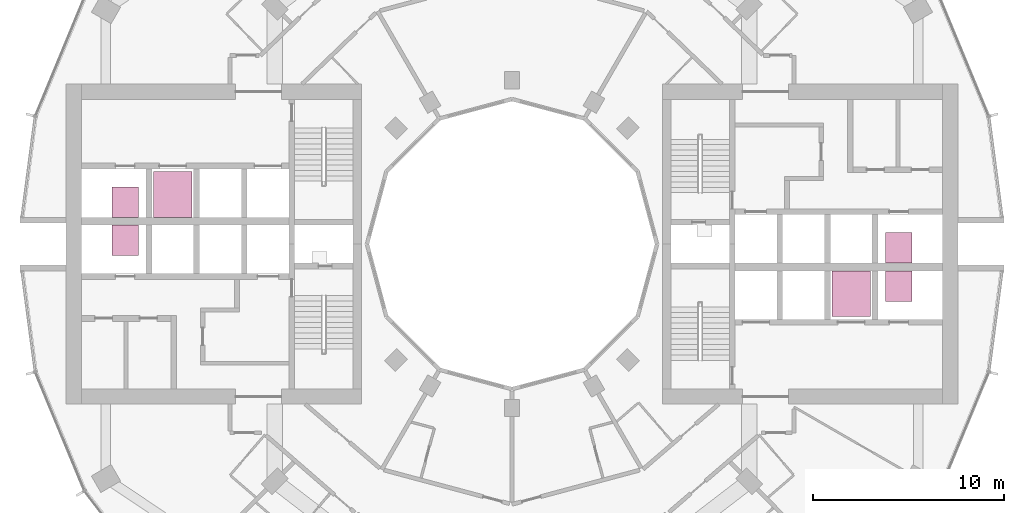
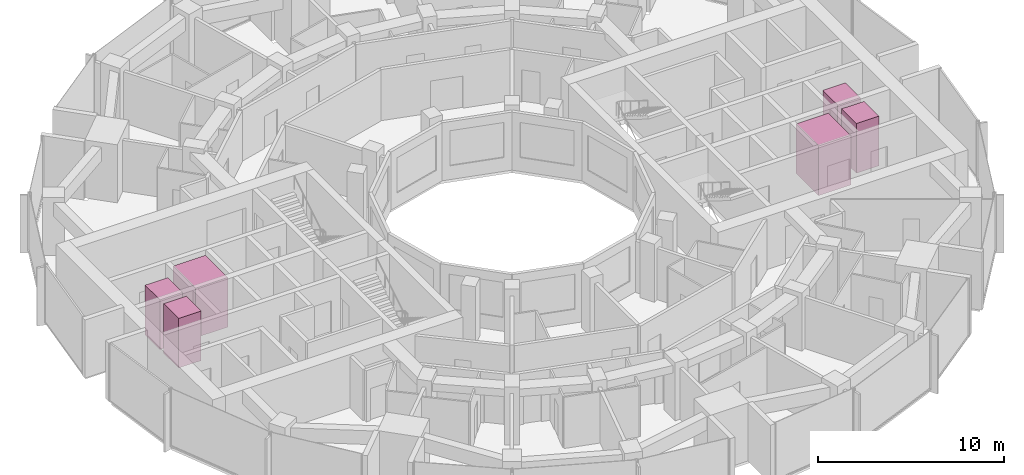
# One storey, part 15 of 15: 6 transport elements.
"""IFC4 building model written with IfcOpenShell, lengths in metres."""

from ifc_helpers import new_model, si_unit, direction, frame, origin, origin_2d, place, context, subcontext, project, spatial, rectangle, extrude, material, type_object, element, save


model = new_model("IFC4")

# Units and contexts
model_context = context("Model", 3, precision=1e-05, world=origin(), true_north=direction((0.0, 1.0)))
body_context = subcontext(model_context, "Body", "Model", "MODEL_VIEW")
ifc_project = project(units=[si_unit("LENGTHUNIT", "METRE"), si_unit("AREAUNIT", "SQUARE_METRE"), si_unit("VOLUMEUNIT", "CUBIC_METRE"), si_unit("PLANEANGLEUNIT", "RADIAN"), si_unit("MASSUNIT", "GRAM", prefix="KILO")], contexts=[model_context])

# Site, building, storey
site_placement = place(None, origin())
site = spatial("IfcSite", under=ifc_project, at=site_placement, CompositionType="ELEMENT")
building_placement = place(site_placement, origin())
building = spatial("IfcBuilding", under=site, at=building_placement, Name="Torre Brocal", CompositionType="ELEMENT")
storey_placement = place(building_placement, frame((0.0, 0.0, 47.800048828125)))
storey = spatial("IfcBuildingStorey", under=building, at=storey_placement, Name="L10", CompositionType="ELEMENT", Elevation=47.800048828125)

# Transport elements
ifc_material_1 = material(Name="Stainless steel AISI 316", Category="steel")
transport_element_type_1 = type_object("IfcTransportElementType", Name="PASSENGER LIFT 2000", PredefinedType="ELEVATOR", material=ifc_material_1)
for number, where, z_axis, x_axis, name in (
    (1, (97.800048828125, 72.39990234375, 0.0), (0.0, 0.0, 1.0), (1.0, 0.0, 0.0), "LOW RISE LIFT E-LR2"),
    (2, (62.199951171875, 77.60009765625, 0.0), (0.0, 0.0, 1.0), (1.0, 0.0, 0.0), "LOW RISE LIFT W-LR2"),
):
    element("IfcTransportElement", number, at=place(storey_placement, frame(where, z_axis=z_axis, x_axis=x_axis)), inside=storey, type_object=transport_element_type_1, Name=name, PredefinedType="ELEVATOR", context=body_context, shape_type="SweptSolid", body=[
        extrude(rectangle(XDim=2.0, YDim=2.39990234375, at=origin_2d()), origin(), (0.0, 0.0, 1.0), 3.25),
    ])
ifc_material_2 = material(Name="Stainless steel AISI 316", Category="steel")
transport_element_type_2 = type_object("IfcTransportElementType", Name="PASSENGER LIFT 900", PredefinedType="ELEVATOR", material=ifc_material_2)
for number, where, z_axis, x_axis, name in (
    (3, (100.300048828125, 74.800048828125, 0.0), (0.0, 0.0, 1.0), (1.0, 0.0, 0.0), "LOW RISE LIFT E-LR1"),
    (4, (100.300048828125, 72.800048828125, 0.0), (0.0, 0.0, 1.0), (1.0, 0.0, 0.0), "LOW RISE LIFT E-LR3"),
    (5, (59.699951171875, 75.199951171875, 0.0), (0.0, 0.0, 1.0), (1.0, 0.0, 0.0), "LOW RISE LIFT W-LR1"),
    (6, (59.699951171875, 77.199951171875, 0.0), (0.0, 0.0, 1.0), (1.0, 0.0, 0.0), "LOW RISE LIFT W-LR3"),
):
    element("IfcTransportElement", number, at=place(storey_placement, frame(where, z_axis=z_axis, x_axis=x_axis)), inside=storey, type_object=transport_element_type_2, Name=name, PredefinedType="ELEVATOR", context=body_context, shape_type="SweptSolid", body=[
        extrude(rectangle(XDim=1.39990234375, YDim=1.60009765625, at=origin_2d()), origin(), (0.0, 0.0, 1.0), 3.25),
    ])

save(model, "model.ifc")
